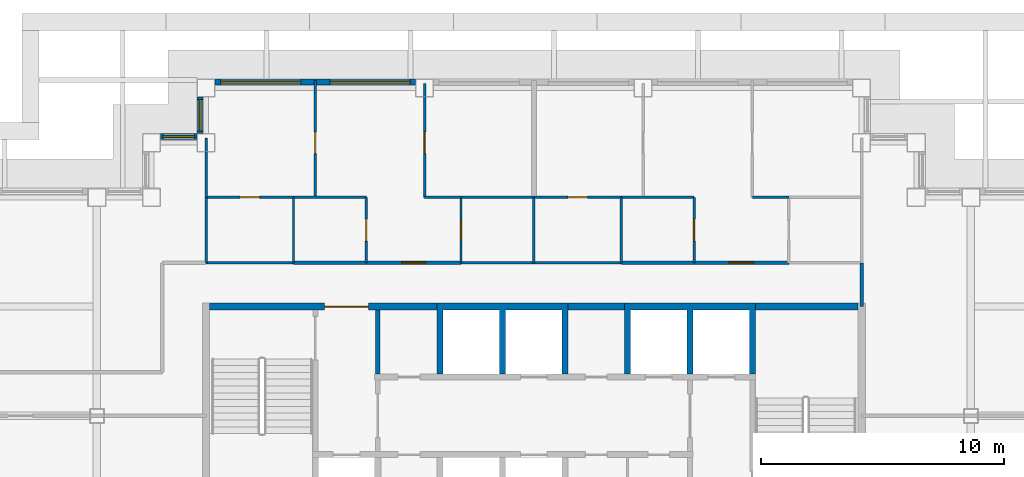
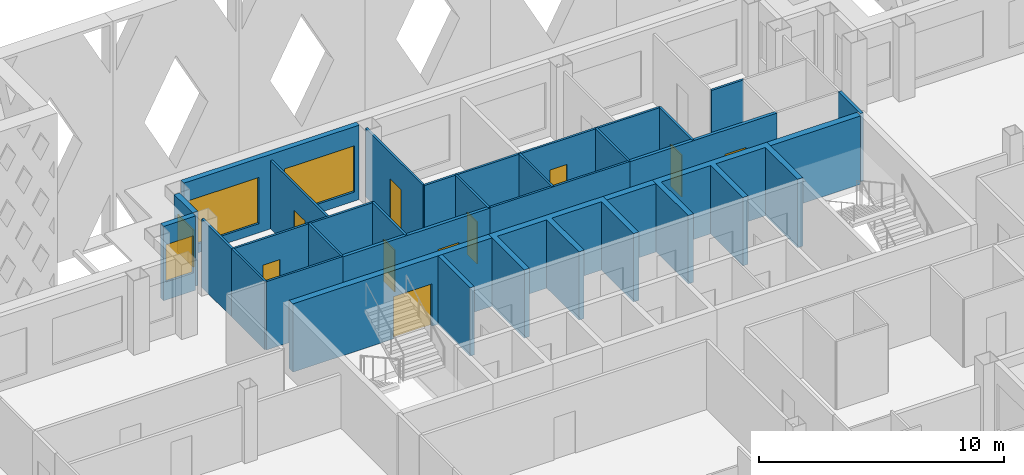
# One storey, part 8 of 18: 30 walls, 10 doors, 4 windows, 14 openings.
"""IFC4 building model written with IfcOpenShell, lengths in metres."""

from ifc_helpers import new_model, si_unit, direction, frame, frame_2d, origin, place, context, subcontext, project, spatial, polyline, rectangle, outline, extrude, material, layer, layer_set, type_object, element, fill, save


model = new_model("IFC4")

# Units and contexts
model_context = context("Model", 3, precision=1e-05, world=origin(), true_north=direction((0.0, 1.0)))
body_context = subcontext(model_context, "Body", "Model", "MODEL_VIEW")
ifc_project = project(units=[si_unit("LENGTHUNIT", "METRE"), si_unit("AREAUNIT", "SQUARE_METRE"), si_unit("VOLUMEUNIT", "CUBIC_METRE"), si_unit("PLANEANGLEUNIT", "RADIAN"), si_unit("MASSUNIT", "GRAM", prefix="KILO")], contexts=[model_context])

# Site, building, storey
site_placement = place(None, origin())
site = spatial("IfcSite", under=ifc_project, at=site_placement, CompositionType="ELEMENT")
building_placement = place(site_placement, origin())
building = spatial("IfcBuilding", under=site, at=building_placement, Name="Caravel Reach Hotel and Residences", CompositionType="ELEMENT")
storey_placement = place(building_placement, frame((0.0, 0.0, 176.5)))
storey = spatial("IfcBuildingStorey", under=building, at=storey_placement, Name="L44", CompositionType="ELEMENT", Elevation=176.5)

# Walls
ifc_material_1 = material(Name="Gypsum board on steel stud", Category="steel")
ifc_layer_1 = layer(ifc_material_1, 0.10009765625)
ifc_layer_set_1 = layer_set([ifc_layer_1], Name="Bathroom pod wall 100 mm")
wall_type_1 = type_object("IfcWallType", Name="Bathroom pod wall 100 mm", PredefinedType="PARTITIONING", material=ifc_layer_set_1)
wall_1_placement = place(storey_placement, frame((28.5, 33.300048828125, 0.0), z_axis=(0.0, 0.0, 1.0), x_axis=(1.0, 0.0, 0.0)))
element("IfcWall", 1, at=wall_1_placement, inside=storey, type_object=wall_type_1, Name="L44 wall w098", PredefinedType="PARTITIONING", context=body_context, shape_type="SweptSolid", body=[
    extrude(rectangle(XDim=6.60009765625, YDim=0.10009765625, at=frame_2d((3.300048828125, 0.0))), origin(), (0.0, 0.0, 1.0), 3.39990234375),
])
wall_2_placement = place(storey_placement, frame((18.0, 33.300048828125, 0.0), z_axis=(0.0, 0.0, 1.0), x_axis=(1.0, 0.0, 0.0)))
element("IfcWall", 2, at=wall_2_placement, inside=storey, type_object=wall_type_1, Name="L44 wall w099", PredefinedType="PARTITIONING", context=body_context, shape_type="SweptSolid", body=[
    extrude(rectangle(XDim=3.60009765625, YDim=0.10009765625, at=frame_2d((1.800048828125, 0.0))), origin(), (0.0, 0.0, 1.0), 3.39990234375),
])

# Wall, opening, door
wall_3_placement = place(storey_placement, frame((28.5, 36.0, 0.0), z_axis=(0.0, 0.0, 1.0), x_axis=(1.0, 0.0, 0.0)))
wall_3 = element("IfcWall", 3, at=wall_3_placement, inside=storey, type_object=wall_type_1, Name="L44 wall w102", PredefinedType="PARTITIONING", context=body_context, shape_type="SweptSolid", body=[
    extrude(rectangle(XDim=6.60009765625, YDim=0.10009765625, at=frame_2d((3.300048828125, 0.0))), origin(), (0.0, 0.0, 1.0), 3.39990234375),
])
opening_1_placement = place(wall_3_placement, frame((4.39990234375, 0.0, 0.0)))
opening_1 = element("IfcOpeningElement", 4, at=opening_1_placement, cuts=wall_3, Name="Opening D44-024", PredefinedType="OPENING", context=body_context, shape_type="SweptSolid", body=[
    extrude(rectangle(XDim=0.800048828125, YDim=2.10009765625, at=frame_2d((0.39990234375, 1.050048828125))), frame((0.0, 0.06005859375, 0.0), z_axis=(0.0, -1.0, 0.0), x_axis=(1.0, 0.0, 0.0)), (0.0, 0.0, 1.0), 0.1201171875),
])
ifc_material_2 = material(Name="Timber and steel door leaf", Category="steel")
door_type_1 = type_object("IfcDoorType", Name="Bathroom door 800 x 2100", OperationType="SINGLE_SWING_LEFT", PredefinedType="DOOR", material=ifc_material_2)
door_1_placement = place(opening_1_placement, origin())
door_1 = element("IfcDoor", 5, at=door_1_placement, inside=storey, type_object=door_type_1, Name="door D44-024", OperationType="SINGLE_SWING_LEFT", OverallHeight=2.10009765625, OverallWidth=0.800048828125, PredefinedType="DOOR", context=body_context, shape_type="SweptSolid", body=[
    extrude(rectangle(XDim=0.800048828125, YDim=2.10009765625, at=frame_2d((0.39990234375, 1.050048828125))), frame((0.0, 0.02490234375, 0.0), z_axis=(0.0, -1.0, 0.0), x_axis=(1.0, 0.0, 0.0)), (0.0, 0.0, 1.0), 0.050048828125),
])
fill(opening_1, door_1)

wall_4_placement = place(storey_placement, frame((18.0, 36.0, 0.0), z_axis=(0.0, 0.0, 1.0), x_axis=(1.0, 0.0, 0.0)))
wall_4 = element("IfcWall", 6, at=wall_4_placement, inside=storey, type_object=wall_type_1, Name="L44 wall w103", PredefinedType="PARTITIONING", context=body_context, shape_type="SweptSolid", body=[
    extrude(rectangle(XDim=3.60009765625, YDim=0.10009765625, at=frame_2d((1.800048828125, 0.0))), origin(), (0.0, 0.0, 1.0), 3.39990234375),
])
opening_2_placement = place(wall_4_placement, frame((1.39990234375, 0.0, 0.0)))
opening_2 = element("IfcOpeningElement", 7, at=opening_2_placement, cuts=wall_4, Name="Opening D44-018", PredefinedType="OPENING", context=body_context, shape_type="SweptSolid", body=[
    extrude(rectangle(XDim=0.800048828125, YDim=2.10009765625, at=frame_2d((0.39990234375, 1.050048828125))), frame((0.0, 0.06005859375, 0.0), z_axis=(0.0, -1.0, 0.0), x_axis=(1.0, 0.0, 0.0)), (0.0, 0.0, 1.0), 0.1201171875),
])
door_2_placement = place(opening_2_placement, origin())
door_2 = element("IfcDoor", 8, at=door_2_placement, inside=storey, type_object=door_type_1, Name="door D44-018", OperationType="SINGLE_SWING_LEFT", OverallHeight=2.10009765625, OverallWidth=0.800048828125, PredefinedType="DOOR", context=body_context, shape_type="SweptSolid", body=[
    extrude(rectangle(XDim=0.800048828125, YDim=2.10009765625, at=frame_2d((0.39990234375, 1.050048828125))), frame((0.0, 0.02490234375, 0.0), z_axis=(0.0, -1.0, 0.0), x_axis=(1.0, 0.0, 0.0)), (0.0, 0.0, 1.0), 0.050048828125),
])
fill(opening_2, door_2)

# Walls
wall_5_placement = place(storey_placement, frame((18.0, 33.301025390625, 0.0), z_axis=(0.0, 0.0, 1.0), x_axis=(0.0, 1.0, 0.0)))
element("IfcWall", 9, at=wall_5_placement, inside=storey, type_object=wall_type_1, Name="L44 wall w106", PredefinedType="PARTITIONING", context=body_context, shape_type="SweptSolid", body=[
    extrude(rectangle(XDim=2.698974609375, YDim=0.10009765625, at=frame_2d((1.349609375, 0.0))), origin(), (0.0, 0.0, 1.0), 3.39990234375),
])
wall_6_placement = place(storey_placement, frame((21.60009765625, 33.300048828125, 0.0), z_axis=(0.0, 0.0, 1.0), x_axis=(0.0, 1.0, 0.0)))
element("IfcWall", 10, at=wall_6_placement, inside=storey, type_object=wall_type_1, Name="L44 wall w108", PredefinedType="PARTITIONING", context=body_context, shape_type="SweptSolid", body=[
    extrude(rectangle(XDim=2.699951171875, YDim=0.10009765625, at=frame_2d((1.35009765625, 0.0))), origin(), (0.0, 0.0, 1.0), 3.39990234375),
])

# Wall, opening, door
wall_7_placement = place(storey_placement, frame((28.5, 33.300048828125, 0.0), z_axis=(0.0, 0.0, 1.0), x_axis=(0.0, 1.0, 0.0)))
wall_7 = element("IfcWall", 11, at=wall_7_placement, inside=storey, type_object=wall_type_1, Name="L44 wall w110", PredefinedType="PARTITIONING", context=body_context, shape_type="SweptSolid", body=[
    extrude(rectangle(XDim=2.699951171875, YDim=0.10009765625, at=frame_2d((1.35009765625, 0.0))), origin(), (0.0, 0.0, 1.0), 3.39990234375),
])
opening_3_placement = place(wall_7_placement, frame((0.949951171875, 0.0, 0.0)))
opening_3 = element("IfcOpeningElement", 12, at=opening_3_placement, cuts=wall_7, Name="Opening D44-020", PredefinedType="OPENING", context=body_context, shape_type="SweptSolid", body=[
    extrude(rectangle(XDim=0.800048828125, YDim=2.10009765625, at=frame_2d((0.39990234375, 1.050048828125))), frame((0.0, 0.06005859375, 0.0), z_axis=(0.0, -1.0, 0.0), x_axis=(1.0, 0.0, 0.0)), (0.0, 0.0, 1.0), 0.1201171875),
])
door_3_placement = place(opening_3_placement, origin())
door_3 = element("IfcDoor", 13, at=door_3_placement, inside=storey, type_object=door_type_1, Name="door D44-020", OperationType="SINGLE_SWING_LEFT", OverallHeight=2.10009765625, OverallWidth=0.800048828125, PredefinedType="DOOR", context=body_context, shape_type="SweptSolid", body=[
    extrude(rectangle(XDim=0.800048828125, YDim=2.10009765625, at=frame_2d((0.39990234375, 1.050048828125))), frame((0.0, 0.02490234375, 0.0), z_axis=(0.0, -1.0, 0.0), x_axis=(1.0, 0.0, 0.0)), (0.0, 0.0, 1.0), 0.050048828125),
])
fill(opening_3, door_3)

# Walls
for number, where, z_axis, x_axis, name in (
    (14, (31.5, 33.300048828125, 0.0), (0.0, 0.0, 1.0), (0.0, 1.0, 0.0), "L44 wall w113"),
    (15, (35.10009765625, 33.300048828125, 0.0), (0.0, 0.0, 1.0), (0.0, 1.0, 0.0), "L44 wall w116"),
):
    element("IfcWall", number, at=place(storey_placement, frame(where, z_axis=z_axis, x_axis=x_axis)), inside=storey, type_object=wall_type_1, Name=name, PredefinedType="PARTITIONING", context=body_context, shape_type="SweptSolid", body=[
        extrude(rectangle(XDim=2.699951171875, YDim=0.10009765625, at=frame_2d((1.35009765625, 0.0))), origin(), (0.0, 0.0, 1.0), 3.39990234375),
    ])
ifc_material_3 = material(Name="Autoclaved aerated block wall")
ifc_layer_2 = layer(ifc_material_3, 0.199951171875)
ifc_layer_set_2 = layer_set([ifc_layer_2], Name="Compartment wall 200 mm EI 120")
wall_type_2 = type_object("IfcWallType", Name="Compartment wall 200 mm EI 120", PredefinedType="PARTITIONING", material=ifc_layer_set_2)
wall_8_placement = place(storey_placement, frame((25.071533203125, 28.72509765625, 0.0), z_axis=(0.0, 0.0, 1.0), x_axis=(0.0, 1.0, 0.0)))
element("IfcWall", 16, at=wall_8_placement, inside=storey, type_object=wall_type_2, Name="L44 store partition", PredefinedType="PARTITIONING", context=body_context, shape_type="SweptSolid", body=[
    extrude(rectangle(XDim=2.625, YDim=0.199951171875, at=frame_2d((1.3125, 0.0))), origin(), (0.0, 0.0, 1.0), 3.39990234375),
])

# Wall, opening, door
ifc_material_4 = material(Name="Concrete C60", Category="concrete")
ifc_layer_3 = layer(ifc_material_4, 0.300048828125)
ifc_layer_set_3 = layer_set([ifc_layer_3], Name="Core wall 300 mm EI 120")
wall_type_3 = type_object("IfcWallType", Name="Core wall 300 mm EI 120", PredefinedType="SHEAR", material=ifc_layer_set_3)
wall_9_placement = place(storey_placement, frame((18.14990234375, 31.5, 0.0), z_axis=(0.0, 0.0, 1.0), x_axis=(1.0, 0.0, 0.0)))
wall_9 = element("IfcWall", 17, at=wall_9_placement, inside=storey, type_object=wall_type_3, Name="L44 core wall N1", PredefinedType="SHEAR", context=body_context, shape_type="SweptSolid", body=[
    extrude(rectangle(XDim=9.367919921875, YDim=0.300048828125, at=frame_2d((4.68408203125, 0.0))), origin(), (0.0, 0.0, 1.0), 3.39990234375),
])
opening_4_placement = place(wall_9_placement, frame((4.735595703125, 0.0, 0.0)))
opening_4 = element("IfcOpeningElement", 18, at=opening_4_placement, cuts=wall_9, Name="Opening D44-015", PredefinedType="OPENING", context=body_context, shape_type="SweptSolid", body=[
    extrude(rectangle(XDim=1.800048828125, YDim=2.10009765625, at=frame_2d((0.89990234375, 1.050048828125))), frame((0.0, 0.159912109375, 0.0), z_axis=(0.0, -1.0, 0.0), x_axis=(1.0, 0.0, 0.0)), (0.0, 0.0, 1.0), 0.320068359375),
])
ifc_material_5 = material(Name="Steel fire door leaf", Category="steel")
door_type_2 = type_object("IfcDoorType", Name="Fire lobby door pair 1800 x 2100 EI 90", OperationType="DOUBLE_DOOR_SINGLE_SWING", PredefinedType="DOOR", material=ifc_material_5)
door_4_placement = place(opening_4_placement, origin())
door_4 = element("IfcDoor", 19, at=door_4_placement, inside=storey, type_object=door_type_2, Name="lobby N door pair to corridor", OperationType="DOUBLE_DOOR_SINGLE_SWING", OverallHeight=2.10009765625, OverallWidth=1.800048828125, PredefinedType="DOOR", context=body_context, shape_type="SweptSolid", body=[
    extrude(rectangle(XDim=1.800048828125, YDim=2.10009765625, at=frame_2d((0.89990234375, 1.050048828125))), frame((0.0, 0.02490234375, 0.0), z_axis=(0.0, -1.0, 0.0), x_axis=(1.0, 0.0, 0.0)), (0.0, 0.0, 1.0), 0.050048828125),
])
fill(opening_4, door_4)

# Walls
wall_10_placement = place(storey_placement, frame((32.91064453125, 31.5, 0.0), z_axis=(0.0, 0.0, 1.0), x_axis=(1.0, 0.0, 0.0)))
element("IfcWall", 20, at=wall_10_placement, inside=storey, type_object=wall_type_3, Name="L44 core wall N2", PredefinedType="SHEAR", context=body_context, shape_type="SweptSolid", body=[
    extrude(rectangle(XDim=2.321533203125, YDim=0.300048828125, at=frame_2d((1.16064453125, 0.0))), origin(), (0.0, 0.0, 1.0), 3.39990234375),
])
wall_11_placement = place(storey_placement, frame((40.625, 31.5, 0.0), z_axis=(0.0, 0.0, 1.0), x_axis=(1.0, 0.0, 0.0)))
element("IfcWall", 21, at=wall_11_placement, inside=storey, type_object=wall_type_3, Name="L44 core wall N3", PredefinedType="SHEAR", context=body_context, shape_type="SweptSolid", body=[
    extrude(rectangle(XDim=4.22509765625, YDim=0.300048828125, at=frame_2d((2.112548828125, 0.0))), origin(), (0.0, 0.0, 1.0), 3.39990234375),
])

# Wall, opening, door
ifc_material_6 = material(Name="Gypsum board on steel stud, fire-rated", Category="steel")
ifc_layer_4 = layer(ifc_material_6, 0.14990234375)
ifc_layer_set_4 = layer_set([ifc_layer_4], Name="Corridor wall 150 mm EI 60")
wall_type_4 = type_object("IfcWallType", Name="Corridor wall 150 mm EI 60", PredefinedType="PARTITIONING", material=ifc_layer_set_4)
wall_12_placement = place(storey_placement, frame((21.60009765625, 33.300048828125, 0.0), z_axis=(0.0, 0.0, 1.0), x_axis=(1.0, 0.0, 0.0)))
wall_12 = element("IfcWall", 22, at=wall_12_placement, inside=storey, type_object=wall_type_4, Name="L44 wall w014", PredefinedType="PARTITIONING", context=body_context, shape_type="SweptSolid", body=[
    extrude(rectangle(XDim=6.89990234375, YDim=0.14990234375, at=frame_2d((3.449951171875, 0.0))), origin(), (0.0, 0.0, 1.0), 3.39990234375),
])
opening_5_placement = place(wall_12_placement, frame((4.449951171875, 0.0, 0.0)))
opening_5 = element("IfcOpeningElement", 23, at=opening_5_placement, cuts=wall_12, Name="Opening D44-017", PredefinedType="OPENING", context=body_context, shape_type="SweptSolid", body=[
    extrude(rectangle(XDim=1.0, YDim=2.199951171875, at=frame_2d((0.5, 1.10009765625))), frame((0.0, 0.0849609375, 0.0), z_axis=(0.0, -1.0, 0.0), x_axis=(1.0, 0.0, 0.0)), (0.0, 0.0, 1.0), 0.169921875),
])
ifc_material_7 = material(Name="Steel fire door leaf", Category="steel")
door_type_3 = type_object("IfcDoorType", Name="Flat entrance door 1000 x 2200 EI 60", OperationType="SINGLE_SWING_LEFT", PredefinedType="DOOR", material=ifc_material_7)
door_5_placement = place(opening_5_placement, origin())
door_5 = element("IfcDoor", 24, at=door_5_placement, inside=storey, type_object=door_type_3, Name="door D44-017", OperationType="SINGLE_SWING_RIGHT", OverallHeight=2.199951171875, OverallWidth=1.0, PredefinedType="DOOR", context=body_context, shape_type="SweptSolid", body=[
    extrude(rectangle(XDim=1.0, YDim=2.199951171875, at=frame_2d((0.5, 1.10009765625))), frame((0.0, 0.02490234375, 0.0), z_axis=(0.0, -1.0, 0.0), x_axis=(1.0, 0.0, 0.0)), (0.0, 0.0, 1.0), 0.050048828125),
])
fill(opening_5, door_5)

wall_13_placement = place(storey_placement, frame((35.10009765625, 33.300048828125, 0.0), z_axis=(0.0, 0.0, 1.0), x_axis=(1.0, 0.0, 0.0)))
wall_13 = element("IfcWall", 25, at=wall_13_placement, inside=storey, type_object=wall_type_4, Name="L44 wall w016", PredefinedType="PARTITIONING", context=body_context, shape_type="SweptSolid", body=[
    extrude(rectangle(XDim=6.89990234375, YDim=0.14990234375, at=frame_2d((3.449951171875, 0.0))), origin(), (0.0, 0.0, 1.0), 3.39990234375),
])
opening_6_placement = place(wall_13_placement, frame((4.449951171875, 0.0, 0.0)))
opening_6 = element("IfcOpeningElement", 26, at=opening_6_placement, cuts=wall_13, Name="Opening D44-023", PredefinedType="OPENING", context=body_context, shape_type="SweptSolid", body=[
    extrude(rectangle(XDim=1.0, YDim=2.199951171875, at=frame_2d((0.5, 1.10009765625))), frame((0.0, 0.0849609375, 0.0), z_axis=(0.0, -1.0, 0.0), x_axis=(1.0, 0.0, 0.0)), (0.0, 0.0, 1.0), 0.169921875),
])
door_6_placement = place(opening_6_placement, origin())
door_6 = element("IfcDoor", 27, at=door_6_placement, inside=storey, type_object=door_type_3, Name="door D44-023", OperationType="SINGLE_SWING_RIGHT", OverallHeight=2.199951171875, OverallWidth=1.0, PredefinedType="DOOR", context=body_context, shape_type="SweptSolid", body=[
    extrude(rectangle(XDim=1.0, YDim=2.199951171875, at=frame_2d((0.5, 1.10009765625))), frame((0.0, 0.02490234375, 0.0), z_axis=(0.0, -1.0, 0.0), x_axis=(1.0, 0.0, 0.0)), (0.0, 0.0, 1.0), 0.050048828125),
])
fill(opening_6, door_6)

# Wall
wall_14_placement = place(storey_placement, frame((45.0, 31.5, 0.0), z_axis=(0.0, 0.0, 1.0), x_axis=(0.0, 1.0, 0.0)))
element("IfcWall", 28, at=wall_14_placement, inside=storey, type_object=wall_type_4, Name="L44 wall w028", PredefinedType="PARTITIONING", context=body_context, shape_type="SweptSolid", body=[
    extrude(rectangle(XDim=1.800048828125, YDim=0.14990234375, at=frame_2d((0.89990234375, 0.0))), origin(), (0.0, 0.0, 1.0), 3.39990234375),
])

# Wall, openings, windows
ifc_material_8 = material(Name="Insulated rainscreen wall, aluminium cladding", Category="aluminium")
ifc_layer_5 = layer(ifc_material_8, 0.25)
ifc_layer_set_5 = layer_set([ifc_layer_5], Name="EW1 Tower rainscreen wall")
wall_type_5 = type_object("IfcWallType", Name="EW1 Tower rainscreen wall", PredefinedType="SOLIDWALL", material=ifc_layer_set_5)
wall_15_placement = place(storey_placement, frame((26.625, 40.75, 0.0), z_axis=(0.0, 0.0, 1.0), x_axis=(-1.0, 0.0, 0.0)))
wall_15 = element("IfcWall", 29, at=wall_15_placement, inside=storey, type_object=wall_type_5, Name="External wall L44 N29.3", PredefinedType="SOLIDWALL", context=body_context, shape_type="SweptSolid", body=[
    extrude(rectangle(XDim=8.25, YDim=0.25, at=frame_2d((4.125, 0.0))), origin(), (0.0, 0.0, 1.0), 3.699951171875),
])
opening_7_placement = place(wall_15_placement, frame((0.22509765625, 0.0, 0.449951171875)))
opening_7 = element("IfcOpeningElement", 30, at=opening_7_placement, cuts=wall_15, Name="Opening WN15", PredefinedType="OPENING", context=body_context, shape_type="SweptSolid", body=[
    extrude(rectangle(XDim=3.300048828125, YDim=2.300048828125, at=frame_2d((1.64990234375, 1.14990234375))), frame((0.0, 0.135009765625, 0.0), z_axis=(0.0, -1.0, 0.0), x_axis=(1.0, 0.0, 0.0)), (0.0, 0.0, 1.0), 0.27001953125),
])
opening_8_placement = place(wall_15_placement, frame((4.72509765625, 0.0, 0.449951171875)))
opening_8 = element("IfcOpeningElement", 31, at=opening_8_placement, cuts=wall_15, Name="Opening WN15", PredefinedType="OPENING", context=body_context, shape_type="SweptSolid", body=[
    extrude(rectangle(XDim=3.300048828125, YDim=2.300048828125, at=frame_2d((1.64990234375, 1.14990234375))), frame((0.0, 0.135009765625, 0.0), z_axis=(0.0, -1.0, 0.0), x_axis=(1.0, 0.0, 0.0)), (0.0, 0.0, 1.0), 0.27001953125),
])
ifc_material_9 = material(Name="Dark low-e glazing in black aluminium frame", Category="aluminium")
window_type_1 = type_object("IfcWindowType", Name="Residence living window 3300 x 2300", PartitioningType="SINGLE_PANEL", PredefinedType="WINDOW", material=ifc_material_9)
window_1_placement = place(opening_7_placement, origin())
window_1 = element("IfcWindow", 32, at=window_1_placement, inside=storey, type_object=window_type_1, Name="Window L44 N29.3.1", OverallHeight=2.300048828125, OverallWidth=3.300048828125, PartitioningType="SINGLE_PANEL", PredefinedType="WINDOW", context=body_context, shape_type="SweptSolid", body=[
    extrude(rectangle(XDim=3.300048828125, YDim=2.300048828125, at=frame_2d((1.64990234375, 1.14990234375))), frame((0.0, 0.030029296875, 0.0), z_axis=(0.0, -1.0, 0.0), x_axis=(1.0, 0.0, 0.0)), (0.0, 0.0, 1.0), 0.06005859375),
])
fill(opening_7, window_1)
window_2_placement = place(opening_8_placement, origin())
window_2 = element("IfcWindow", 33, at=window_2_placement, inside=storey, type_object=window_type_1, Name="Window L44 N29.3.2", OverallHeight=2.300048828125, OverallWidth=3.300048828125, PartitioningType="SINGLE_PANEL", PredefinedType="WINDOW", context=body_context, shape_type="SweptSolid", body=[
    extrude(rectangle(XDim=3.300048828125, YDim=2.300048828125, at=frame_2d((1.64990234375, 1.14990234375))), frame((0.0, 0.030029296875, 0.0), z_axis=(0.0, -1.0, 0.0), x_axis=(1.0, 0.0, 0.0)), (0.0, 0.0, 1.0), 0.06005859375),
])
fill(opening_8, window_2)

# Wall, opening, window
wall_16_placement = place(storey_placement, frame((17.75, 40.125, 0.0), z_axis=(0.0, 0.0, 1.0), x_axis=(0.0, -1.0, 0.0)))
wall_16 = element("IfcWall", 34, at=wall_16_placement, inside=storey, type_object=wall_type_5, Name="External wall L44 W30.1", PredefinedType="SOLIDWALL", context=body_context, shape_type="SweptSolid", body=[
    extrude(rectangle(XDim=1.5, YDim=0.25, at=frame_2d((0.75, 0.0))), origin(), (0.0, 0.0, 1.0), 3.699951171875),
])
opening_9_placement = place(wall_16_placement, frame((0.10009765625, 0.0, 0.89990234375)))
opening_9 = element("IfcOpeningElement", 35, at=opening_9_placement, cuts=wall_16, Name="Opening WN16", PredefinedType="OPENING", context=body_context, shape_type="SweptSolid", body=[
    extrude(rectangle(XDim=1.300048828125, YDim=1.85009765625, at=frame_2d((0.64990234375, 0.925048828125))), frame((0.0, 0.135009765625, 0.0), z_axis=(0.0, -1.0, 0.0), x_axis=(1.0, 0.0, 0.0)), (0.0, 0.0, 1.0), 0.27001953125),
])
ifc_material_10 = material(Name="Dark low-e glazing in black aluminium frame", Category="aluminium")
window_type_2 = type_object("IfcWindowType", Name="Residence bedroom window 1300 x 1850", PartitioningType="SINGLE_PANEL", PredefinedType="WINDOW", material=ifc_material_10)
window_3_placement = place(opening_9_placement, origin())
window_3 = element("IfcWindow", 36, at=window_3_placement, inside=storey, type_object=window_type_2, Name="Window L44 W30.1.1", OverallHeight=1.85009765625, OverallWidth=1.300048828125, PartitioningType="SINGLE_PANEL", PredefinedType="WINDOW", context=body_context, shape_type="SweptSolid", body=[
    extrude(rectangle(XDim=1.300048828125, YDim=1.85009765625, at=frame_2d((0.64990234375, 0.925048828125))), frame((0.0, 0.030029296875, 0.0), z_axis=(0.0, -1.0, 0.0), x_axis=(1.0, 0.0, 0.0)), (0.0, 0.0, 1.0), 0.06005859375),
])
fill(opening_9, window_3)

wall_17_placement = place(storey_placement, frame((17.625, 38.5, 0.0), z_axis=(0.0, 0.0, 1.0), x_axis=(-1.0, 0.0, 0.0)))
wall_17 = element("IfcWall", 37, at=wall_17_placement, inside=storey, type_object=wall_type_5, Name="External wall L44 N31.1", PredefinedType="SOLIDWALL", context=body_context, shape_type="SweptSolid", body=[
    extrude(rectangle(XDim=1.5, YDim=0.25, at=frame_2d((0.75, 0.0))), origin(), (0.0, 0.0, 1.0), 3.699951171875),
])
opening_10_placement = place(wall_17_placement, frame((0.10009765625, 0.0, 0.89990234375)))
opening_10 = element("IfcOpeningElement", 38, at=opening_10_placement, cuts=wall_17, Name="Opening WN16", PredefinedType="OPENING", context=body_context, shape_type="SweptSolid", body=[
    extrude(rectangle(XDim=1.300048828125, YDim=1.85009765625, at=frame_2d((0.64990234375, 0.925048828125))), frame((0.0, 0.135009765625, 0.0), z_axis=(0.0, -1.0, 0.0), x_axis=(1.0, 0.0, 0.0)), (0.0, 0.0, 1.0), 0.27001953125),
])
window_4_placement = place(opening_10_placement, origin())
window_4 = element("IfcWindow", 39, at=window_4_placement, inside=storey, type_object=window_type_2, Name="Window L44 N31.1.1", OverallHeight=1.85009765625, OverallWidth=1.300048828125, PartitioningType="SINGLE_PANEL", PredefinedType="WINDOW", context=body_context, shape_type="SweptSolid", body=[
    extrude(rectangle(XDim=1.300048828125, YDim=1.85009765625, at=frame_2d((0.64990234375, 0.925048828125))), frame((0.0, 0.030029296875, 0.0), z_axis=(0.0, -1.0, 0.0), x_axis=(1.0, 0.0, 0.0)), (0.0, 0.0, 1.0), 0.06005859375),
])
fill(opening_10, window_4)

# Walls
ifc_material_11 = material(Name="Gypsum board on steel stud", Category="steel")
ifc_layer_6 = layer(ifc_material_11, 0.10009765625)
ifc_layer_set_6 = layer_set([ifc_layer_6], Name="Partition 100 mm")
wall_type_6 = type_object("IfcWallType", Name="Partition 100 mm", PredefinedType="PARTITIONING", material=ifc_layer_set_6)
wall_18_placement = place(storey_placement, frame((27.0, 36.0, 0.0), z_axis=(0.0, 0.0, 1.0), x_axis=(1.0, 0.0, 0.0)))
element("IfcWall", 40, at=wall_18_placement, inside=storey, type_object=wall_type_6, Name="L44 wall w042", PredefinedType="PARTITIONING", context=body_context, shape_type="SweptSolid", body=[
    extrude(rectangle(XDim=1.5, YDim=0.10009765625, at=frame_2d((0.75, 0.0))), origin(), (0.0, 0.0, 1.0), 3.39990234375),
])
wall_19_placement = place(storey_placement, frame((21.60009765625, 36.0, 0.0), z_axis=(0.0, 0.0, 1.0), x_axis=(1.0, 0.0, 0.0)))
element("IfcWall", 41, at=wall_19_placement, inside=storey, type_object=wall_type_6, Name="L44 wall w043", PredefinedType="PARTITIONING", context=body_context, shape_type="SweptSolid", body=[
    extrude(rectangle(XDim=3.0, YDim=0.10009765625, at=frame_2d((1.5, 0.0))), origin(), (0.0, 0.0, 1.0), 3.39990234375),
])
wall_20_placement = place(storey_placement, frame((40.5, 36.0, 0.0), z_axis=(0.0, 0.0, 1.0), x_axis=(1.0, 0.0, 0.0)))
element("IfcWall", 42, at=wall_20_placement, inside=storey, type_object=wall_type_6, Name="L44 wall w045", PredefinedType="PARTITIONING", context=body_context, shape_type="SweptSolid", body=[
    extrude(rectangle(XDim=1.5, YDim=0.10009765625, at=frame_2d((0.75, 0.0))), origin(), (0.0, 0.0, 1.0), 3.39990234375),
])
wall_21_placement = place(storey_placement, frame((35.10009765625, 36.0, 0.0), z_axis=(0.0, 0.0, 1.0), x_axis=(1.0, 0.0, 0.0)))
element("IfcWall", 43, at=wall_21_placement, inside=storey, type_object=wall_type_6, Name="L44 wall w046", PredefinedType="PARTITIONING", context=body_context, shape_type="SweptSolid", body=[
    extrude(rectangle(XDim=3.0, YDim=0.10009765625, at=frame_2d((1.5, 0.0))), origin(), (0.0, 0.0, 1.0), 3.39990234375),
])
wall_22_placement = place(storey_placement, frame((18.0, 36.0, 0.0), z_axis=(0.0, 0.0, 1.0), x_axis=(0.0, 1.0, 0.0)))
element("IfcWall", 44, at=wall_22_placement, inside=storey, type_object=wall_type_6, Name="L44 wall w052", PredefinedType="PARTITIONING", context=body_context, shape_type="SweptSolid", body=[
    extrude(rectangle(XDim=2.43994140625, YDim=0.10009765625, at=frame_2d((1.219970703125, 0.0))), origin(), (0.0, 0.0, 1.0), 3.39990234375),
])

# Wall, opening, door
wall_23_placement = place(storey_placement, frame((22.5, 36.0, 0.0), z_axis=(0.0, 0.0, 1.0), x_axis=(0.0, 1.0, 0.0)))
wall_23 = element("IfcWall", 45, at=wall_23_placement, inside=storey, type_object=wall_type_6, Name="L44 wall w056", PredefinedType="PARTITIONING", context=body_context, shape_type="SweptSolid", body=[
    extrude(rectangle(XDim=4.81494140625, YDim=0.10009765625, at=frame_2d((2.407470703125, 0.0))), origin(), (0.0, 0.0, 1.0), 3.39990234375),
])
opening_11_placement = place(wall_23_placement, frame((1.800048828125, 0.0, 0.0)))
opening_11 = element("IfcOpeningElement", 46, at=opening_11_placement, cuts=wall_23, Name="Opening D44-021", PredefinedType="OPENING", context=body_context, shape_type="SweptSolid", body=[
    extrude(rectangle(XDim=0.89990234375, YDim=2.10009765625, at=frame_2d((0.449951171875, 1.050048828125))), frame((0.0, 0.06005859375, 0.0), z_axis=(0.0, -1.0, 0.0), x_axis=(1.0, 0.0, 0.0)), (0.0, 0.0, 1.0), 0.1201171875),
])
ifc_material_12 = material(Name="Timber and steel door leaf", Category="steel")
door_type_4 = type_object("IfcDoorType", Name="Door 900 x 2100 timber", OperationType="SINGLE_SWING_LEFT", PredefinedType="DOOR", material=ifc_material_12)
door_7_placement = place(opening_11_placement, origin())
door_7 = element("IfcDoor", 47, at=door_7_placement, inside=storey, type_object=door_type_4, Name="door D44-021", OperationType="SINGLE_SWING_LEFT", OverallHeight=2.10009765625, OverallWidth=0.89990234375, PredefinedType="DOOR", context=body_context, shape_type="SweptSolid", body=[
    extrude(rectangle(XDim=0.89990234375, YDim=2.10009765625, at=frame_2d((0.449951171875, 1.050048828125))), frame((0.0, 0.02490234375, 0.0), z_axis=(0.0, -1.0, 0.0), x_axis=(1.0, 0.0, 0.0)), (0.0, 0.0, 1.0), 0.050048828125),
])
fill(opening_11, door_7)

wall_24_placement = place(storey_placement, frame((24.60009765625, 33.300048828125, 0.0), z_axis=(0.0, 0.0, 1.0), x_axis=(0.0, 1.0, 0.0)))
wall_24 = element("IfcWall", 48, at=wall_24_placement, inside=storey, type_object=wall_type_6, Name="L44 wall w057", PredefinedType="PARTITIONING", context=body_context, shape_type="SweptSolid", body=[
    extrude(rectangle(XDim=2.699951171875, YDim=0.10009765625, at=frame_2d((1.35009765625, 0.0))), origin(), (0.0, 0.0, 1.0), 3.39990234375),
])
opening_12_placement = place(wall_24_placement, frame((0.89990234375, 0.0, 0.0)))
opening_12 = element("IfcOpeningElement", 49, at=opening_12_placement, cuts=wall_24, Name="Opening D44-019", PredefinedType="OPENING", context=body_context, shape_type="SweptSolid", body=[
    extrude(rectangle(XDim=0.89990234375, YDim=2.10009765625, at=frame_2d((0.449951171875, 1.050048828125))), frame((0.0, 0.06005859375, 0.0), z_axis=(0.0, -1.0, 0.0), x_axis=(1.0, 0.0, 0.0)), (0.0, 0.0, 1.0), 0.1201171875),
])
door_8_placement = place(opening_12_placement, origin())
door_8 = element("IfcDoor", 50, at=door_8_placement, inside=storey, type_object=door_type_4, Name="door D44-019", OperationType="SINGLE_SWING_RIGHT", OverallHeight=2.10009765625, OverallWidth=0.89990234375, PredefinedType="DOOR", context=body_context, shape_type="SweptSolid", body=[
    extrude(rectangle(XDim=0.89990234375, YDim=2.10009765625, at=frame_2d((0.449951171875, 1.050048828125))), frame((0.0, 0.02490234375, 0.0), z_axis=(0.0, -1.0, 0.0), x_axis=(1.0, 0.0, 0.0)), (0.0, 0.0, 1.0), 0.050048828125),
])
fill(opening_12, door_8)

wall_25_placement = place(storey_placement, frame((27.0, 36.0, 0.0), z_axis=(0.0, 0.0, 1.0), x_axis=(0.0, 1.0, 0.0)))
wall_25 = element("IfcWall", 51, at=wall_25_placement, inside=storey, type_object=wall_type_6, Name="L44 wall w058", PredefinedType="PARTITIONING", context=body_context, shape_type="SweptSolid", body=[
    extrude(rectangle(XDim=4.68994140625, YDim=0.10009765625, at=frame_2d((2.344970703125, 0.0))), origin(), (0.0, 0.0, 1.0), 3.39990234375),
])
opening_13_placement = place(wall_25_placement, frame((1.800048828125, 0.0, 0.0)))
opening_13 = element("IfcOpeningElement", 52, at=opening_13_placement, cuts=wall_25, Name="Opening D44-022", PredefinedType="OPENING", context=body_context, shape_type="SweptSolid", body=[
    extrude(rectangle(XDim=0.89990234375, YDim=2.10009765625, at=frame_2d((0.449951171875, 1.050048828125))), frame((0.0, 0.06005859375, 0.0), z_axis=(0.0, -1.0, 0.0), x_axis=(1.0, 0.0, 0.0)), (0.0, 0.0, 1.0), 0.1201171875),
])
door_9_placement = place(opening_13_placement, origin())
door_9 = element("IfcDoor", 53, at=door_9_placement, inside=storey, type_object=door_type_4, Name="door D44-022", OperationType="SINGLE_SWING_LEFT", OverallHeight=2.10009765625, OverallWidth=0.89990234375, PredefinedType="DOOR", context=body_context, shape_type="SweptSolid", body=[
    extrude(rectangle(XDim=0.89990234375, YDim=2.10009765625, at=frame_2d((0.449951171875, 1.050048828125))), frame((0.0, 0.02490234375, 0.0), z_axis=(0.0, -1.0, 0.0), x_axis=(1.0, 0.0, 0.0)), (0.0, 0.0, 1.0), 0.050048828125),
])
fill(opening_13, door_9)

wall_26_placement = place(storey_placement, frame((38.10009765625, 33.300048828125, 0.0), z_axis=(0.0, 0.0, 1.0), x_axis=(0.0, 1.0, 0.0)))
wall_26 = element("IfcWall", 54, at=wall_26_placement, inside=storey, type_object=wall_type_6, Name="L44 wall w066", PredefinedType="PARTITIONING", context=body_context, shape_type="SweptSolid", body=[
    extrude(rectangle(XDim=2.699951171875, YDim=0.10009765625, at=frame_2d((1.35009765625, 0.0))), origin(), (0.0, 0.0, 1.0), 3.39990234375),
])
opening_14_placement = place(wall_26_placement, frame((0.89990234375, 0.0, 0.0)))
opening_14 = element("IfcOpeningElement", 55, at=opening_14_placement, cuts=wall_26, Name="Opening D44-025", PredefinedType="OPENING", context=body_context, shape_type="SweptSolid", body=[
    extrude(rectangle(XDim=0.89990234375, YDim=2.10009765625, at=frame_2d((0.449951171875, 1.050048828125))), frame((0.0, 0.06005859375, 0.0), z_axis=(0.0, -1.0, 0.0), x_axis=(1.0, 0.0, 0.0)), (0.0, 0.0, 1.0), 0.1201171875),
])
door_10_placement = place(opening_14_placement, origin())
door_10 = element("IfcDoor", 56, at=door_10_placement, inside=storey, type_object=door_type_4, Name="door D44-025", OperationType="SINGLE_SWING_LEFT", OverallHeight=2.10009765625, OverallWidth=0.89990234375, PredefinedType="DOOR", context=body_context, shape_type="SweptSolid", body=[
    extrude(rectangle(XDim=0.89990234375, YDim=2.10009765625, at=frame_2d((0.449951171875, 1.050048828125))), frame((0.0, 0.02490234375, 0.0), z_axis=(0.0, -1.0, 0.0), x_axis=(1.0, 0.0, 0.0)), (0.0, 0.0, 1.0), 0.050048828125),
])
fill(opening_14, door_10)

# Walls
ifc_material_13 = material(Name="Concrete C60", Category="concrete")
ifc_layer_7 = layer(ifc_material_13, 0.25)
ifc_layer_set_7 = layer_set([ifc_layer_7], Name="Shaft wall 250 mm EI 120")
wall_type_7 = type_object("IfcWallType", Name="Shaft wall 250 mm EI 120", PredefinedType="SHEAR", material=ifc_layer_set_7)
wall_27_placement = place(storey_placement, origin())
element("IfcWall", 57, at=wall_27_placement, inside=storey, type_object=wall_type_7, Name="L44 lift shaft wall N1", PredefinedType="SHEAR", context=body_context, shape_type="SweptSolid", body=[
    extrude(outline(polyline([(27.517822265625, 28.72509765625), (27.767822265625, 28.72509765625), (27.767822265625, 31.35009765625), (30.08935546875, 31.35009765625), (30.08935546875, 28.72509765625), (30.33935546875, 28.72509765625), (30.33935546875, 31.35009765625), (32.66064453125, 31.35009765625), (32.66064453125, 28.72509765625), (32.91064453125, 28.72509765625), (32.91064453125, 31.64990234375), (27.517822265625, 31.64990234375), (27.517822265625, 28.72509765625)])), origin(), (0.0, 0.0, 1.0), 3.39990234375),
])
wall_28_placement = place(storey_placement, origin())
element("IfcWall", 58, at=wall_28_placement, inside=storey, type_object=wall_type_7, Name="L44 lift shaft wall N2", PredefinedType="SHEAR", context=body_context, shape_type="SweptSolid", body=[
    extrude(outline(polyline([(35.232177734375, 28.72509765625), (35.482177734375, 28.72509765625), (35.482177734375, 31.35009765625), (37.803466796875, 31.35009765625), (37.803466796875, 28.72509765625), (38.053466796875, 28.72509765625), (38.053466796875, 31.35009765625), (40.375, 31.35009765625), (40.375, 28.72509765625), (40.625, 28.72509765625), (40.625, 31.64990234375), (35.232177734375, 31.64990234375), (35.232177734375, 28.72509765625)])), origin(), (0.0, 0.0, 1.0), 3.39990234375),
])

save(model, "model.ifc")
